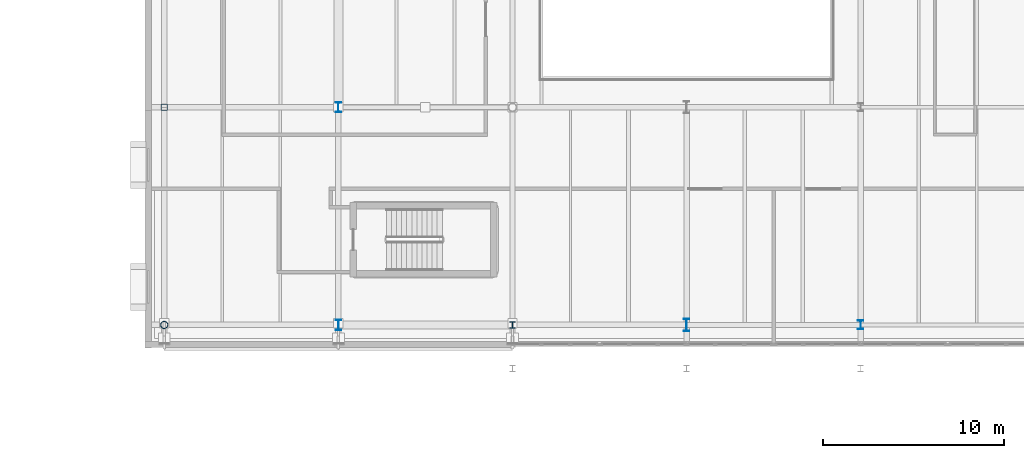
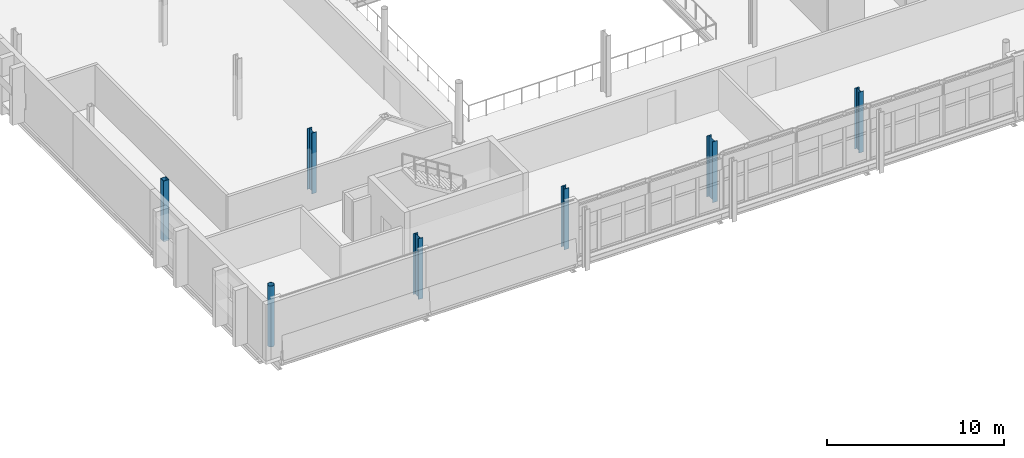
# One storey, part 3 of 57: 7 columns.
"""IFC4 building model written with IfcOpenShell, lengths in metres."""

from ifc_helpers import new_model, si_unit, direction, frame, origin, origin_2d, place, context, subcontext, project, spatial, hollow_rectangle, hollow_circle, i_section, extrude, material, material_profile, profile_set, type_object, element, save


model = new_model("IFC4")

# Units and contexts
model_context = context("Model", 3, precision=1e-05, world=origin(), true_north=direction((0.0, 1.0)))
body_context = subcontext(model_context, "Body", "Model", "MODEL_VIEW")
ifc_project = project(units=[si_unit("LENGTHUNIT", "METRE"), si_unit("AREAUNIT", "SQUARE_METRE"), si_unit("VOLUMEUNIT", "CUBIC_METRE"), si_unit("PLANEANGLEUNIT", "RADIAN"), si_unit("MASSUNIT", "GRAM", prefix="KILO")], contexts=[model_context])

# Site, building, storey
site_placement = place(None, origin())
site = spatial("IfcSite", under=ifc_project, at=site_placement, CompositionType="ELEMENT")
building_placement = place(site_placement, origin())
building = spatial("IfcBuilding", under=site, at=building_placement, Name="Zereglee Splitstone Museum", CompositionType="ELEMENT")
storey_placement = place(building_placement, frame((0.0, 0.0, 17.10009765625)))
storey = spatial("IfcBuildingStorey", under=building, at=storey_placement, Name="L03", CompositionType="ELEMENT", Elevation=17.10009765625)

# Columns
ifc_material_1 = material(Name="Steel S355J2H", Category="steel")
ifc_material_profile_1 = material_profile(ifc_material_1, hollow_circle(Radius=0.203125, WallThickness=0.02001953125, at=origin_2d()), Name="CHS 406.4x20")
ifc_profile_set_1 = profile_set([ifc_material_profile_1], Name="Steel S355J2H")
column_type_1 = type_object("IfcColumnType", Name="C-18", PredefinedType="COLUMN", material=ifc_profile_set_1)
column_1_placement = place(storey_placement, frame((78.0, 9.60009765625, 0.0), z_axis=(0.0, 0.0, 1.0), x_axis=(1.0, 0.0, 0.0)))
element("IfcColumn", 1, at=column_1_placement, inside=storey, type_object=column_type_1, Name="Column 10/B L03", PredefinedType="COLUMN", context=body_context, shape_type="SweptSolid", body=[
    extrude(hollow_circle(Radius=0.203125, WallThickness=0.02001953125, at=origin_2d()), origin(), (0.0, 0.0, 1.0), 4.199951171875),
])
ifc_material_2 = material(Name="Steel S355J2", Category="steel")
ifc_material_profile_2 = material_profile(ifc_material_2, i_section(OverallWidth=0.300048828125, OverallDepth=0.360107421875, WebThickness=0.012451171875, FlangeThickness=0.0224609375, FilletRadius=0.027099609375, at=origin_2d()), Name="HE 360 B")
ifc_profile_set_2 = profile_set([ifc_material_profile_2], Name="Steel S355J2")
column_type_2 = type_object("IfcColumnType", Name="C-16", PredefinedType="COLUMN", material=ifc_profile_set_2)
column_2_placement = place(storey_placement, frame((97.199951171875, 9.60009765625, 0.0), z_axis=(0.0, 0.0, 1.0), x_axis=(1.0, 0.0, 0.0)))
element("IfcColumn", 2, at=column_2_placement, inside=storey, type_object=column_type_2, Name="Column 12/B L03", PredefinedType="COLUMN", context=body_context, shape_type="SweptSolid", body=[
    extrude(i_section(OverallWidth=0.300048828125, OverallDepth=0.360107421875, WebThickness=0.012451171875, FlangeThickness=0.0224609375, FilletRadius=0.027099609375, at=origin_2d()), origin(), (0.0, 0.0, 1.0), 4.199951171875),
])
ifc_material_profile_3 = material_profile(ifc_material_2, i_section(OverallWidth=0.300048828125, OverallDepth=0.5, WebThickness=0.014404296875, FlangeThickness=0.028076171875, FilletRadius=0.027099609375, at=origin_2d()), Name="HE 500 B")
ifc_profile_set_3 = profile_set([ifc_material_profile_3], Name="Steel S355J2")
column_type_3 = type_object("IfcColumnType", Name="C-13", PredefinedType="COLUMN", material=ifc_profile_set_3)
column_3_placement = place(storey_placement, frame((116.39990234375, 9.60009765625, 0.0), z_axis=(0.0, 0.0, 1.0), x_axis=(1.0, 0.0, 0.0)))
element("IfcColumn", 3, at=column_3_placement, inside=storey, type_object=column_type_3, Name="Column 14/B L03", PredefinedType="COLUMN", context=body_context, shape_type="SweptSolid", body=[
    extrude(i_section(OverallWidth=0.300048828125, OverallDepth=0.5, WebThickness=0.014404296875, FlangeThickness=0.028076171875, FilletRadius=0.027099609375, at=origin_2d()), origin(), (0.0, 0.0, 1.0), 4.199951171875),
])
ifc_material_profile_4 = material_profile(ifc_material_2, i_section(OverallWidth=0.300048828125, OverallDepth=0.550048828125, WebThickness=0.014892578125, FlangeThickness=0.029052734375, FilletRadius=0.027099609375, at=origin_2d()), Name="HE 550 B")
ifc_profile_set_4 = profile_set([ifc_material_profile_4], Name="Steel S355J2")
column_type_4 = type_object("IfcColumnType", Name="C-12", PredefinedType="COLUMN", material=ifc_profile_set_4)
column_4_placement = place(storey_placement, frame((87.60009765625, 21.60009765625, 0.0), z_axis=(0.0, 0.0, 1.0), x_axis=(1.0, 0.0, 0.0)))
element("IfcColumn", 4, at=column_4_placement, inside=storey, type_object=column_type_4, Name="Column 11/C L03", PredefinedType="COLUMN", context=body_context, shape_type="SweptSolid", body=[
    extrude(i_section(OverallWidth=0.300048828125, OverallDepth=0.550048828125, WebThickness=0.014892578125, FlangeThickness=0.029052734375, FilletRadius=0.027099609375, at=origin_2d()), origin(), (0.0, 0.0, 1.0), 4.199951171875),
])
ifc_material_profile_5 = material_profile(ifc_material_2, i_section(OverallWidth=0.300048828125, OverallDepth=0.60009765625, WebThickness=0.015380859375, FlangeThickness=0.030029296875, FilletRadius=0.027099609375, at=origin_2d()), Name="HE 600 B")
ifc_profile_set_5 = profile_set([ifc_material_profile_5], Name="Steel S355J2")
column_type_5 = type_object("IfcColumnType", Name="C-11", PredefinedType="COLUMN", material=ifc_profile_set_5)
column_5_placement = place(storey_placement, frame((87.60009765625, 9.60009765625, 0.0), z_axis=(0.0, 0.0, 1.0), x_axis=(1.0, 0.0, 0.0)))
element("IfcColumn", 5, at=column_5_placement, inside=storey, type_object=column_type_5, Name="Column 11/B L03", PredefinedType="COLUMN", context=body_context, shape_type="SweptSolid", body=[
    extrude(i_section(OverallWidth=0.300048828125, OverallDepth=0.60009765625, WebThickness=0.015380859375, FlangeThickness=0.030029296875, FilletRadius=0.027099609375, at=origin_2d()), origin(), (0.0, 0.0, 1.0), 4.199951171875),
])
ifc_material_profile_6 = material_profile(ifc_material_2, i_section(OverallWidth=0.300048828125, OverallDepth=0.699951171875, WebThickness=0.01708984375, FlangeThickness=0.031982421875, FilletRadius=0.027099609375, at=origin_2d()), Name="HE 700 B")
ifc_profile_set_6 = profile_set([ifc_material_profile_6], Name="Steel S355J2")
column_type_6 = type_object("IfcColumnType", Name="C-09", PredefinedType="COLUMN", material=ifc_profile_set_6)
column_6_placement = place(storey_placement, frame((106.800048828125, 9.60009765625, 0.0), z_axis=(0.0, 0.0, 1.0), x_axis=(1.0, 0.0, 0.0)))
element("IfcColumn", 6, at=column_6_placement, inside=storey, type_object=column_type_6, Name="Column 13/B L03", PredefinedType="COLUMN", context=body_context, shape_type="SweptSolid", body=[
    extrude(i_section(OverallWidth=0.300048828125, OverallDepth=0.699951171875, WebThickness=0.01708984375, FlangeThickness=0.031982421875, FilletRadius=0.027099609375, at=origin_2d()), origin(), (0.0, 0.0, 1.0), 4.199951171875),
])
ifc_material_profile_7 = material_profile(ifc_material_1, hollow_rectangle(XDim=0.35009765625, YDim=0.35009765625, WallThickness=0.01611328125, at=origin_2d()), Name="SHS 350x350x16")
ifc_profile_set_7 = profile_set([ifc_material_profile_7], Name="Steel S355J2H")
column_type_7 = type_object("IfcColumnType", Name="C-19", PredefinedType="COLUMN", material=ifc_profile_set_7)
column_7_placement = place(storey_placement, frame((78.0, 21.60009765625, 0.0), z_axis=(0.0, 0.0, 1.0), x_axis=(1.0, 0.0, 0.0)))
element("IfcColumn", 7, at=column_7_placement, inside=storey, type_object=column_type_7, Name="Column 10/C L03", PredefinedType="COLUMN", context=body_context, shape_type="SweptSolid", body=[
    extrude(hollow_rectangle(XDim=0.35009765625, YDim=0.35009765625, WallThickness=0.01611328125, at=origin_2d()), origin(), (0.0, 0.0, 1.0), 4.199951171875),
])

save(model, "model.ifc")
